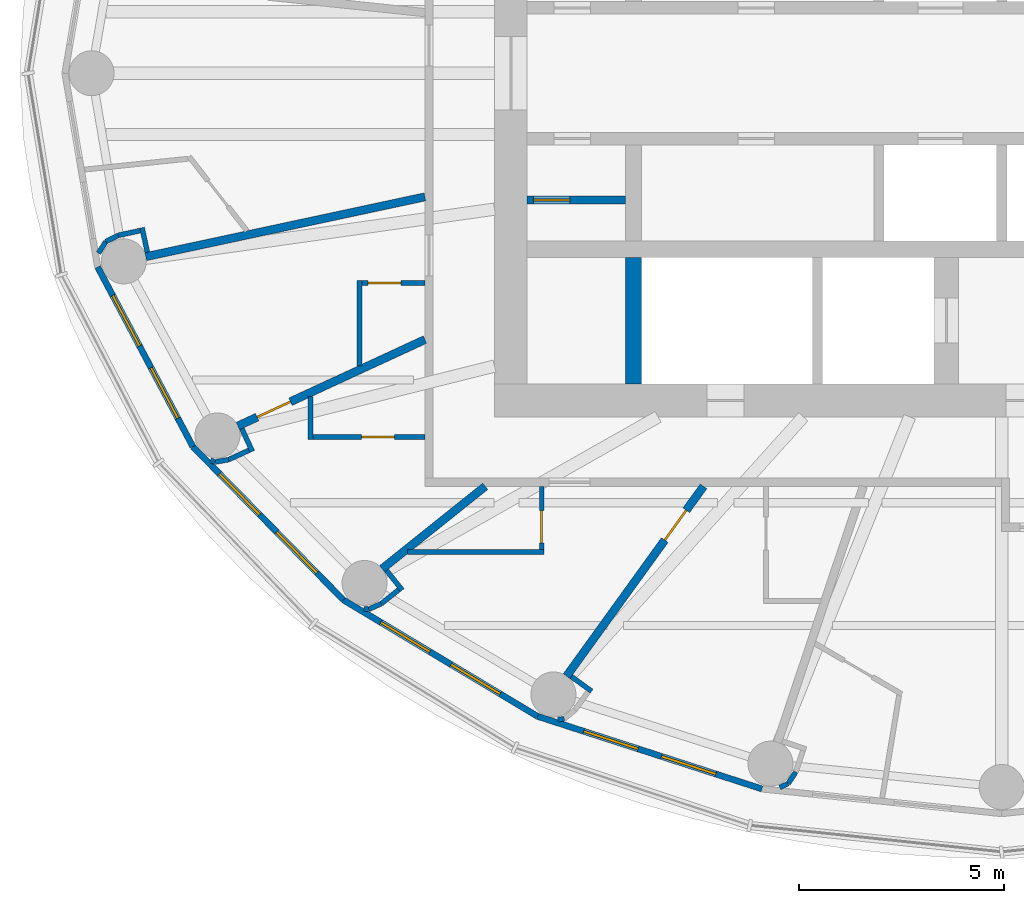
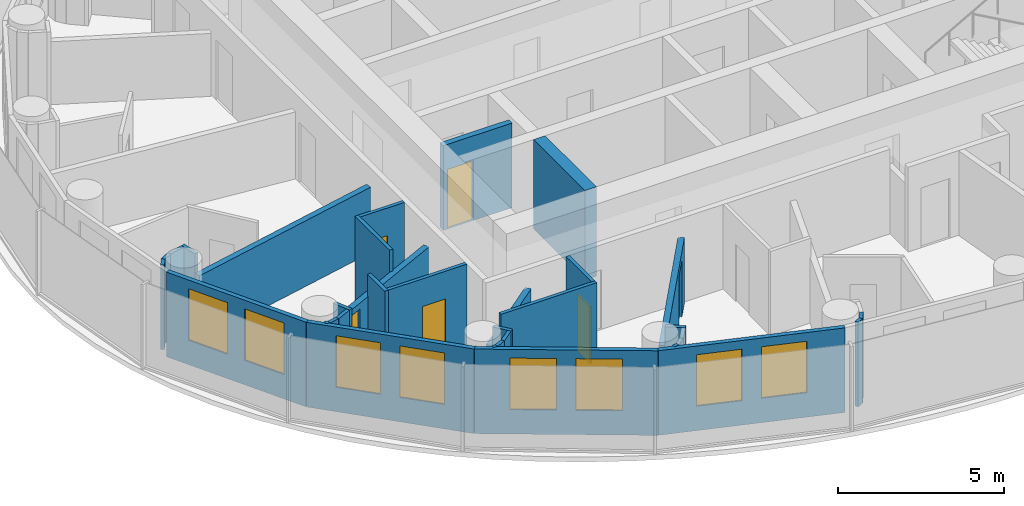
# One storey, part 6 of 14: 32 walls, 8 windows, 6 doors, 14 openings.
"""IFC4 building model written with IfcOpenShell, lengths in metres."""

from ifc_helpers import new_model, si_unit, direction, frame, frame_2d, origin, place, context, subcontext, project, spatial, rectangle, extrude, material, layer, layer_set, type_object, element, fill, save


model = new_model("IFC4")

# Units and contexts
model_context = context("Model", 3, precision=1e-05, world=origin(), true_north=direction((0.0, 1.0)))
body_context = subcontext(model_context, "Body", "Model", "MODEL_VIEW")
ifc_project = project(units=[si_unit("LENGTHUNIT", "METRE"), si_unit("AREAUNIT", "SQUARE_METRE"), si_unit("VOLUMEUNIT", "CUBIC_METRE"), si_unit("PLANEANGLEUNIT", "RADIAN"), si_unit("MASSUNIT", "GRAM", prefix="KILO")], contexts=[model_context])

# Site, building, storey
site_placement = place(None, origin())
site = spatial("IfcSite", under=ifc_project, at=site_placement, CompositionType="ELEMENT")
building_placement = place(site_placement, origin())
building = spatial("IfcBuilding", under=site, at=building_placement, Name="Hankou Lantern Tower", CompositionType="ELEMENT")
storey_placement = place(building_placement, frame((0.0, 0.0, 176.39990234375)))
storey = spatial("IfcBuildingStorey", under=building, at=storey_placement, Name="L47", CompositionType="ELEMENT", Elevation=176.39990234375)

# Wall
ifc_material_1 = material(Name="Concrete C60", Category="concrete")
ifc_layer_1 = layer(ifc_material_1, 0.39990234375)
ifc_layer_set_1 = layer_set([ifc_layer_1], Name="Concrete C60")
wall_type_1 = type_object("IfcWallType", Name="CW4 CORE CROSS WALL 400", PredefinedType="SHEAR", material=ifc_layer_set_1)
wall_1_placement = place(storey_placement, frame((-9.0, -7.60009765625, 0.0), z_axis=(0.0, 0.0, 1.0), x_axis=(0.0, 1.0, 0.0)))
element("IfcWall", 1, at=wall_1_placement, inside=storey, type_object=wall_type_1, Name="Core strip wall L47", PredefinedType="SHEAR", context=body_context, shape_type="SweptSolid", body=[
    extrude(rectangle(XDim=3.10009765625, YDim=0.39990234375, at=frame_2d((1.550048828125, 0.0))), origin(), (0.0, 0.0, 1.0), 3.300048828125),
])

# Wall, openings, windows
ifc_material_2 = material(Name="Aluminium spandrel panel on steel studs", Category="steel")
ifc_layer_2 = layer(ifc_material_2, 0.14990234375)
ifc_layer_set_2 = layer_set([ifc_layer_2], Name="Aluminium spandrel panel on steel studs")
wall_type_2 = type_object("IfcWallType", Name="EW1 INNER SKIN WALL 150", PredefinedType="ELEMENTEDWALL", material=ifc_layer_set_2)
wall_2_placement = place(storey_placement, frame((-22.1015625, -4.73779296875, 0.0), z_axis=(0.0, 0.0, 1.0), x_axis=(0.468428906714, -0.883501193748, 0.0)))
wall_2 = element("IfcWall", 2, at=wall_2_placement, inside=storey, type_object=wall_type_2, Name="Inner skin R14-R15 L47", PredefinedType="ELEMENTEDWALL", context=body_context, shape_type="SweptSolid", body=[
    extrude(rectangle(XDim=4.9736328125, YDim=0.14990234375, at=frame_2d((2.48681640625, 0.0))), origin(), (0.0, 0.0, 1.0), 3.1201171875),
])
opening_1_placement = place(wall_2_placement, frame((0.786865234375, 0.0, 0.89990234375)))
opening_1 = element("IfcOpeningElement", 3, at=opening_1_placement, cuts=wall_2, Name="Opening W3", PredefinedType="OPENING", context=body_context, shape_type="SweptSolid", body=[
    extrude(rectangle(XDim=1.39990234375, YDim=1.89990234375, at=frame_2d((0.699951171875, 0.949951171875))), frame((0.0, 0.0849609375, 0.0), z_axis=(0.0, -1.0, 0.0), x_axis=(1.0, 0.0, 0.0)), (0.0, 0.0, 1.0), 0.169921875),
])
opening_2_placement = place(wall_2_placement, frame((2.786865234375, 0.0, 0.89990234375)))
opening_2 = element("IfcOpeningElement", 4, at=opening_2_placement, cuts=wall_2, Name="Opening W3", PredefinedType="OPENING", context=body_context, shape_type="SweptSolid", body=[
    extrude(rectangle(XDim=1.39990234375, YDim=1.89990234375, at=frame_2d((0.699951171875, 0.949951171875))), frame((0.0, 0.0849609375, 0.0), z_axis=(0.0, -1.0, 0.0), x_axis=(1.0, 0.0, 0.0)), (0.0, 0.0, 1.0), 0.169921875),
])
ifc_material_3 = material(Name="Aluminium framed double glazed window", Category="aluminium")
window_type = type_object("IfcWindowType", Name="W3 GUEST ROOM WINDOW 1400X1900", PartitioningType="DOUBLE_PANEL_VERTICAL", PredefinedType="WINDOW", material=ifc_material_3)
window_1_placement = place(opening_1_placement, origin())
window_1 = element("IfcWindow", 5, at=window_1_placement, inside=storey, type_object=window_type, Name="Window R14.1 L47", OverallHeight=1.89990234375, OverallWidth=1.39990234375, PartitioningType="SINGLE_PANEL", PredefinedType="WINDOW", context=body_context, shape_type="SweptSolid", body=[
    extrude(rectangle(XDim=1.39990234375, YDim=1.89990234375, at=frame_2d((0.699951171875, 0.949951171875))), frame((0.0, 0.030029296875, 0.0), z_axis=(0.0, -1.0, 0.0), x_axis=(1.0, 0.0, 0.0)), (0.0, 0.0, 1.0), 0.06005859375),
])
fill(opening_1, window_1)
window_2_placement = place(opening_2_placement, origin())
window_2 = element("IfcWindow", 6, at=window_2_placement, inside=storey, type_object=window_type, Name="Window R14.2 L47", OverallHeight=1.89990234375, OverallWidth=1.39990234375, PartitioningType="SINGLE_PANEL", PredefinedType="WINDOW", context=body_context, shape_type="SweptSolid", body=[
    extrude(rectangle(XDim=1.39990234375, YDim=1.89990234375, at=frame_2d((0.699951171875, 0.949951171875))), frame((0.0, 0.030029296875, 0.0), z_axis=(0.0, -1.0, 0.0), x_axis=(1.0, 0.0, 0.0)), (0.0, 0.0, 1.0), 0.06005859375),
])
fill(opening_2, window_2)

wall_3_placement = place(storey_placement, frame((-19.771728515625, -9.132080078125, 0.0), z_axis=(0.0, 0.0, 1.0), x_axis=(0.700727467776, -0.71342905457, 0.0)))
wall_3 = element("IfcWall", 7, at=wall_3_placement, inside=storey, type_object=wall_type_2, Name="Inner skin R15-R16 L47", PredefinedType="ELEMENTEDWALL", context=body_context, shape_type="SweptSolid", body=[
    extrude(rectangle(XDim=5.247314453125, YDim=0.14990234375, at=frame_2d((2.62353515625, 0.0))), origin(), (0.0, 0.0, 1.0), 3.1201171875),
])
opening_3_placement = place(wall_3_placement, frame((0.923583984375, 0.0, 0.89990234375)))
opening_3 = element("IfcOpeningElement", 8, at=opening_3_placement, cuts=wall_3, Name="Opening W3", PredefinedType="OPENING", context=body_context, shape_type="SweptSolid", body=[
    extrude(rectangle(XDim=1.39990234375, YDim=1.89990234375, at=frame_2d((0.699951171875, 0.949951171875))), frame((0.0, 0.0849609375, 0.0), z_axis=(0.0, -1.0, 0.0), x_axis=(1.0, 0.0, 0.0)), (0.0, 0.0, 1.0), 0.169921875),
])
opening_4_placement = place(wall_3_placement, frame((2.923583984375, 0.0, 0.89990234375)))
opening_4 = element("IfcOpeningElement", 9, at=opening_4_placement, cuts=wall_3, Name="Opening W3", PredefinedType="OPENING", context=body_context, shape_type="SweptSolid", body=[
    extrude(rectangle(XDim=1.39990234375, YDim=1.89990234375, at=frame_2d((0.699951171875, 0.949951171875))), frame((0.0, 0.0849609375, 0.0), z_axis=(0.0, -1.0, 0.0), x_axis=(1.0, 0.0, 0.0)), (0.0, 0.0, 1.0), 0.169921875),
])
window_3_placement = place(opening_3_placement, origin())
window_3 = element("IfcWindow", 10, at=window_3_placement, inside=storey, type_object=window_type, Name="Window R15.1 L47", OverallHeight=1.89990234375, OverallWidth=1.39990234375, PartitioningType="SINGLE_PANEL", PredefinedType="WINDOW", context=body_context, shape_type="SweptSolid", body=[
    extrude(rectangle(XDim=1.39990234375, YDim=1.89990234375, at=frame_2d((0.699951171875, 0.949951171875))), frame((0.0, 0.030029296875, 0.0), z_axis=(0.0, -1.0, 0.0), x_axis=(1.0, 0.0, 0.0)), (0.0, 0.0, 1.0), 0.06005859375),
])
fill(opening_3, window_3)
window_4_placement = place(opening_4_placement, origin())
window_4 = element("IfcWindow", 11, at=window_4_placement, inside=storey, type_object=window_type, Name="Window R15.2 L47", OverallHeight=1.89990234375, OverallWidth=1.39990234375, PartitioningType="SINGLE_PANEL", PredefinedType="WINDOW", context=body_context, shape_type="SweptSolid", body=[
    extrude(rectangle(XDim=1.39990234375, YDim=1.89990234375, at=frame_2d((0.699951171875, 0.949951171875))), frame((0.0, 0.030029296875, 0.0), z_axis=(0.0, -1.0, 0.0), x_axis=(1.0, 0.0, 0.0)), (0.0, 0.0, 1.0), 0.06005859375),
])
fill(opening_4, window_4)

wall_4_placement = place(storey_placement, frame((-16.0947265625, -12.875732421875, 0.0), z_axis=(0.0, 0.0, 1.0), x_axis=(0.857695199231, -0.514158482587, 0.0)))
wall_4 = element("IfcWall", 12, at=wall_4_placement, inside=storey, type_object=wall_type_2, Name="Inner skin R16-R17 L47", PredefinedType="ELEMENTEDWALL", context=body_context, shape_type="SweptSolid", body=[
    extrude(rectangle(XDim=5.5361328125, YDim=0.14990234375, at=frame_2d((2.76806640625, 0.0))), origin(), (0.0, 0.0, 1.0), 3.1201171875),
])
opening_5_placement = place(wall_4_placement, frame((1.068115234375, 0.0, 0.89990234375)))
opening_5 = element("IfcOpeningElement", 13, at=opening_5_placement, cuts=wall_4, Name="Opening W3", PredefinedType="OPENING", context=body_context, shape_type="SweptSolid", body=[
    extrude(rectangle(XDim=1.39990234375, YDim=1.89990234375, at=frame_2d((0.699951171875, 0.949951171875))), frame((0.0, 0.0849609375, 0.0), z_axis=(0.0, -1.0, 0.0), x_axis=(1.0, 0.0, 0.0)), (0.0, 0.0, 1.0), 0.169921875),
])
opening_6_placement = place(wall_4_placement, frame((3.068115234375, 0.0, 0.89990234375)))
opening_6 = element("IfcOpeningElement", 14, at=opening_6_placement, cuts=wall_4, Name="Opening W3", PredefinedType="OPENING", context=body_context, shape_type="SweptSolid", body=[
    extrude(rectangle(XDim=1.39990234375, YDim=1.89990234375, at=frame_2d((0.699951171875, 0.949951171875))), frame((0.0, 0.0849609375, 0.0), z_axis=(0.0, -1.0, 0.0), x_axis=(1.0, 0.0, 0.0)), (0.0, 0.0, 1.0), 0.169921875),
])
window_5_placement = place(opening_5_placement, origin())
window_5 = element("IfcWindow", 15, at=window_5_placement, inside=storey, type_object=window_type, Name="Window R16.1 L47", OverallHeight=1.89990234375, OverallWidth=1.39990234375, PartitioningType="SINGLE_PANEL", PredefinedType="WINDOW", context=body_context, shape_type="SweptSolid", body=[
    extrude(rectangle(XDim=1.39990234375, YDim=1.89990234375, at=frame_2d((0.699951171875, 0.949951171875))), frame((0.0, 0.030029296875, 0.0), z_axis=(0.0, -1.0, 0.0), x_axis=(1.0, 0.0, 0.0)), (0.0, 0.0, 1.0), 0.06005859375),
])
fill(opening_5, window_5)
window_6_placement = place(opening_6_placement, origin())
window_6 = element("IfcWindow", 16, at=window_6_placement, inside=storey, type_object=window_type, Name="Window R16.2 L47", OverallHeight=1.89990234375, OverallWidth=1.39990234375, PartitioningType="SINGLE_PANEL", PredefinedType="WINDOW", context=body_context, shape_type="SweptSolid", body=[
    extrude(rectangle(XDim=1.39990234375, YDim=1.89990234375, at=frame_2d((0.699951171875, 0.949951171875))), frame((0.0, 0.030029296875, 0.0), z_axis=(0.0, -1.0, 0.0), x_axis=(1.0, 0.0, 0.0)), (0.0, 0.0, 1.0), 0.06005859375),
])
fill(opening_6, window_6)

wall_5_placement = place(storey_placement, frame((-11.346435546875, -15.72216796875, 0.0), z_axis=(0.0, 0.0, 1.0), x_axis=(0.951432482129, -0.307857486429, 0.0)))
wall_5 = element("IfcWall", 17, at=wall_5_placement, inside=storey, type_object=wall_type_2, Name="Inner skin R17-R18 L47", PredefinedType="ELEMENTEDWALL", context=body_context, shape_type="SweptSolid", body=[
    extrude(rectangle(XDim=5.76611328125, YDim=0.14990234375, at=frame_2d((2.883056640625, 0.0))), origin(), (0.0, 0.0, 1.0), 3.1201171875),
])
opening_7_placement = place(wall_5_placement, frame((1.18310546875, 0.0, 0.89990234375)))
opening_7 = element("IfcOpeningElement", 18, at=opening_7_placement, cuts=wall_5, Name="Opening W3", PredefinedType="OPENING", context=body_context, shape_type="SweptSolid", body=[
    extrude(rectangle(XDim=1.39990234375, YDim=1.89990234375, at=frame_2d((0.699951171875, 0.949951171875))), frame((0.0, 0.0849609375, 0.0), z_axis=(0.0, -1.0, 0.0), x_axis=(1.0, 0.0, 0.0)), (0.0, 0.0, 1.0), 0.169921875),
])
opening_8_placement = place(wall_5_placement, frame((3.18310546875, 0.0, 0.89990234375)))
opening_8 = element("IfcOpeningElement", 19, at=opening_8_placement, cuts=wall_5, Name="Opening W3", PredefinedType="OPENING", context=body_context, shape_type="SweptSolid", body=[
    extrude(rectangle(XDim=1.39990234375, YDim=1.89990234375, at=frame_2d((0.699951171875, 0.949951171875))), frame((0.0, 0.0849609375, 0.0), z_axis=(0.0, -1.0, 0.0), x_axis=(1.0, 0.0, 0.0)), (0.0, 0.0, 1.0), 0.169921875),
])
window_7_placement = place(opening_7_placement, origin())
window_7 = element("IfcWindow", 20, at=window_7_placement, inside=storey, type_object=window_type, Name="Window R17.1 L47", OverallHeight=1.89990234375, OverallWidth=1.39990234375, PartitioningType="SINGLE_PANEL", PredefinedType="WINDOW", context=body_context, shape_type="SweptSolid", body=[
    extrude(rectangle(XDim=1.39990234375, YDim=1.89990234375, at=frame_2d((0.699951171875, 0.949951171875))), frame((0.0, 0.030029296875, 0.0), z_axis=(0.0, -1.0, 0.0), x_axis=(1.0, 0.0, 0.0)), (0.0, 0.0, 1.0), 0.06005859375),
])
fill(opening_7, window_7)
window_8_placement = place(opening_8_placement, origin())
window_8 = element("IfcWindow", 21, at=window_8_placement, inside=storey, type_object=window_type, Name="Window R17.2 L47", OverallHeight=1.89990234375, OverallWidth=1.39990234375, PartitioningType="SINGLE_PANEL", PredefinedType="WINDOW", context=body_context, shape_type="SweptSolid", body=[
    extrude(rectangle(XDim=1.39990234375, YDim=1.89990234375, at=frame_2d((0.699951171875, 0.949951171875))), frame((0.0, 0.030029296875, 0.0), z_axis=(0.0, -1.0, 0.0), x_axis=(1.0, 0.0, 0.0)), (0.0, 0.0, 1.0), 0.06005859375),
])
fill(opening_8, window_8)

# Walls
ifc_material_4 = material(Name="Masonry lightweight concrete block", Category="masonry")
ifc_layer_3 = layer(ifc_material_4, 0.199951171875)
ifc_layer_set_3 = layer_set([ifc_layer_3], Name="Masonry lightweight concrete block")
wall_type_3 = type_object("IfcWallType", Name="IW1 GUEST ROOM PARTY WALL 200", PredefinedType="PARTITIONING", material=ifc_layer_set_3)
wall_6_placement = place(storey_placement, frame((-14.10009765625, -3.0224609375, 0.0), z_axis=(0.0, 0.0, 1.0), x_axis=(-0.977790639684, -0.209584028367, 0.0)))
element("IfcWall", 22, at=wall_6_placement, inside=storey, type_object=wall_type_3, Name="Party wall R14", PredefinedType="PARTITIONING", context=body_context, shape_type="SweptSolid", body=[
    extrude(rectangle(XDim=6.97998046875, YDim=0.199951171875, at=frame_2d((3.489990234375, 0.0))), origin(), (0.0, 0.0, 1.0), 2.420166015625),
])
wall_7_placement = place(storey_placement, frame((-12.625, -10.10009765625, 0.0), z_axis=(0.0, 0.0, 1.0), x_axis=(-0.780876185034, -0.624685827954, 0.0)))
element("IfcWall", 23, at=wall_7_placement, inside=storey, type_object=wall_type_3, Name="Party wall R16", PredefinedType="PARTITIONING", context=body_context, shape_type="SweptSolid", body=[
    extrude(rectangle(XDim=3.229248046875, YDim=0.199951171875, at=frame_2d((1.61474609375, 0.0))), origin(), (0.0, 0.0, 1.0), 2.420166015625),
])
ifc_material_5 = material(Name="Masonry lightweight concrete block", Category="masonry")
ifc_layer_4 = layer(ifc_material_5, 0.1201171875)
ifc_layer_set_4 = layer_set([ifc_layer_4], Name="Masonry lightweight concrete block")
wall_type_4 = type_object("IfcWallType", Name="IW3 BATHROOM WALL 120", PredefinedType="PARTITIONING", material=ifc_layer_set_4)
wall_8_placement = place(storey_placement, frame((-15.699951171875, -7.151611328125, 0.0), z_axis=(0.0, 0.0, 1.0), x_axis=(0.0, 1.0, 0.0)))
element("IfcWall", 24, at=wall_8_placement, inside=storey, type_object=wall_type_4, Name="Box wall 4701C 1", PredefinedType="PARTITIONING", context=body_context, shape_type="SweptSolid", body=[
    extrude(rectangle(XDim=2.0791015625, YDim=0.1201171875, at=frame_2d((1.03955078125, 0.0))), origin(), (0.0, 0.0, 1.0), 3.1201171875),
])

# Wall, opening, door
wall_9_placement = place(storey_placement, frame((-14.10009765625, -5.132568359375, 0.0), z_axis=(0.0, 0.0, 1.0), x_axis=(-1.0, 0.0, 0.0)))
wall_9 = element("IfcWall", 25, at=wall_9_placement, inside=storey, type_object=wall_type_4, Name="Box wall 4701C 1", PredefinedType="PARTITIONING", context=body_context, shape_type="SweptSolid", body=[
    extrude(rectangle(XDim=1.539794921875, YDim=0.1201171875, at=frame_2d((0.77001953125, 0.0))), origin(), (0.0, 0.0, 1.0), 3.1201171875),
])
opening_9_placement = place(wall_9_placement, frame((0.590087890625, 0.0, 0.0)))
opening_9 = element("IfcOpeningElement", 26, at=opening_9_placement, cuts=wall_9, Name="Opening D3", PredefinedType="OPENING", context=body_context, shape_type="SweptSolid", body=[
    extrude(rectangle(XDim=0.800048828125, YDim=2.10009765625, at=frame_2d((0.39990234375, 1.050048828125))), frame((0.0, 0.070068359375, 0.0), z_axis=(0.0, -1.0, 0.0), x_axis=(1.0, 0.0, 0.0)), (0.0, 0.0, 1.0), 0.14013671875),
])
ifc_material_6 = material(Name="Timber door leaf", Category="wood")
door_type_1 = type_object("IfcDoorType", Name="D3 BATHROOM DOOR 800X2100", OperationType="SINGLE_SWING_LEFT", PredefinedType="DOOR", material=ifc_material_6)
door_1_placement = place(opening_9_placement, origin())
door_1 = element("IfcDoor", 27, at=door_1_placement, inside=storey, type_object=door_type_1, Name="Suite 4701 guest WC door", OperationType="SINGLE_SWING_RIGHT", OverallHeight=2.10009765625, OverallWidth=0.800048828125, PredefinedType="DOOR", context=body_context, shape_type="SweptSolid", body=[
    extrude(rectangle(XDim=0.800048828125, YDim=2.10009765625, at=frame_2d((0.39990234375, 1.050048828125))), frame((0.0, 0.02490234375, 0.0), z_axis=(0.0, -1.0, 0.0), x_axis=(1.0, 0.0, 0.0)), (0.0, 0.0, 1.0), 0.050048828125),
])
fill(opening_9, door_1)

# Wall
wall_10_placement = place(storey_placement, frame((-16.89990234375, -7.90576171875, 0.0), z_axis=(0.0, 0.0, 1.0), x_axis=(0.0, -1.0, 0.0)))
element("IfcWall", 28, at=wall_10_placement, inside=storey, type_object=wall_type_4, Name="Box wall 4701A 1", PredefinedType="PARTITIONING", context=body_context, shape_type="SweptSolid", body=[
    extrude(rectangle(XDim=1.046630859375, YDim=0.1201171875, at=frame_2d((0.5234375, 0.0))), origin(), (0.0, 0.0, 1.0), 3.1201171875),
])

# Wall, opening, door
wall_11_placement = place(storey_placement, frame((-14.10009765625, -8.892578125, 0.0), z_axis=(0.0, 0.0, 1.0), x_axis=(-1.0, 0.0, 0.0)))
wall_11 = element("IfcWall", 29, at=wall_11_placement, inside=storey, type_object=wall_type_4, Name="Box wall 4701A 1", PredefinedType="PARTITIONING", context=body_context, shape_type="SweptSolid", body=[
    extrude(rectangle(XDim=2.739990234375, YDim=0.1201171875, at=frame_2d((1.3701171875, 0.0))), origin(), (0.0, 0.0, 1.0), 3.1201171875),
])
opening_10_placement = place(wall_11_placement, frame((0.75, 0.0, 0.0)))
opening_10 = element("IfcOpeningElement", 30, at=opening_10_placement, cuts=wall_11, Name="Opening D3", PredefinedType="OPENING", context=body_context, shape_type="SweptSolid", body=[
    extrude(rectangle(XDim=0.800048828125, YDim=2.10009765625, at=frame_2d((0.39990234375, 1.050048828125))), frame((0.0, 0.070068359375, 0.0), z_axis=(0.0, -1.0, 0.0), x_axis=(1.0, 0.0, 0.0)), (0.0, 0.0, 1.0), 0.14013671875),
])
door_2_placement = place(opening_10_placement, origin())
door_2 = element("IfcDoor", 31, at=door_2_placement, inside=storey, type_object=door_type_1, Name="Suite 4701 bathroom door", OperationType="SINGLE_SWING_LEFT", OverallHeight=2.10009765625, OverallWidth=0.800048828125, PredefinedType="DOOR", context=body_context, shape_type="SweptSolid", body=[
    extrude(rectangle(XDim=0.800048828125, YDim=2.10009765625, at=frame_2d((0.39990234375, 1.050048828125))), frame((0.0, 0.02490234375, 0.0), z_axis=(0.0, -1.0, 0.0), x_axis=(1.0, 0.0, 0.0)), (0.0, 0.0, 1.0), 0.050048828125),
])
fill(opening_10, door_2)

# Wall
wall_12_placement = place(storey_placement, frame((-14.52490234375, -11.699951171875, 0.0), z_axis=(0.0, 0.0, 1.0), x_axis=(1.0, 0.0, 0.0)))
element("IfcWall", 32, at=wall_12_placement, inside=storey, type_object=wall_type_4, Name="Box wall 4702C 1", PredefinedType="PARTITIONING", context=body_context, shape_type="SweptSolid", body=[
    extrude(rectangle(XDim=3.33984375, YDim=0.1201171875, at=frame_2d((1.669921875, 0.0))), origin(), (0.0, 0.0, 1.0), 3.1201171875),
])

# Wall, opening, door
wall_13_placement = place(storey_placement, frame((-11.2451171875, -10.10009765625, 0.0), z_axis=(0.0, 0.0, 1.0), x_axis=(0.0, -1.0, 0.0)))
wall_13 = element("IfcWall", 33, at=wall_13_placement, inside=storey, type_object=wall_type_4, Name="Box wall 4702C 1", PredefinedType="PARTITIONING", context=body_context, shape_type="SweptSolid", body=[
    extrude(rectangle(XDim=1.539794921875, YDim=0.1201171875, at=frame_2d((0.77001953125, 0.0))), origin(), (0.0, 0.0, 1.0), 3.1201171875),
])
opening_11_placement = place(wall_13_placement, frame((0.590087890625, 0.0, 0.0)))
opening_11 = element("IfcOpeningElement", 34, at=opening_11_placement, cuts=wall_13, Name="Opening D3", PredefinedType="OPENING", context=body_context, shape_type="SweptSolid", body=[
    extrude(rectangle(XDim=0.800048828125, YDim=2.10009765625, at=frame_2d((0.39990234375, 1.050048828125))), frame((0.0, 0.070068359375, 0.0), z_axis=(0.0, -1.0, 0.0), x_axis=(1.0, 0.0, 0.0)), (0.0, 0.0, 1.0), 0.14013671875),
])
door_3_placement = place(opening_11_placement, origin())
door_3 = element("IfcDoor", 35, at=door_3_placement, inside=storey, type_object=door_type_1, Name="Suite 4702 guest WC door", OperationType="SINGLE_SWING_LEFT", OverallHeight=2.10009765625, OverallWidth=0.800048828125, PredefinedType="DOOR", context=body_context, shape_type="SweptSolid", body=[
    extrude(rectangle(XDim=0.800048828125, YDim=2.10009765625, at=frame_2d((0.39990234375, 1.050048828125))), frame((0.0, 0.02490234375, 0.0), z_axis=(0.0, -1.0, 0.0), x_axis=(1.0, 0.0, 0.0)), (0.0, 0.0, 1.0), 0.050048828125),
])
fill(opening_11, door_3)

# Walls
wall_14_placement = place(storey_placement, frame((-5.034423828125, -17.08447265625, 0.0), z_axis=(0.0, 0.0, 1.0), x_axis=(-0.552362205726, -0.833604218851, 0.0)))
element("IfcWall", 36, at=wall_14_placement, inside=storey, type_object=wall_type_4, Name="Column casing 4703", PredefinedType="PARTITIONING", context=body_context, shape_type="SweptSolid", body=[
    extrude(rectangle(XDim=0.337646484375, YDim=0.1201171875, at=frame_2d((0.1689453125, 0.0))), origin(), (0.0, 0.0, 1.0), 3.1201171875),
])
wall_15_placement = place(storey_placement, frame((-5.220947265625, -17.365966796875, 0.0), z_axis=(0.0, 0.0, 1.0), x_axis=(-0.895067896179, -0.445929883759, 0.0)))
element("IfcWall", 37, at=wall_15_placement, inside=storey, type_object=wall_type_4, Name="Column casing 4703", PredefinedType="PARTITIONING", context=body_context, shape_type="SweptSolid", body=[
    extrude(rectangle(XDim=0.228271484375, YDim=0.1201171875, at=frame_2d((0.1142578125, 0.0))), origin(), (0.0, 0.0, 1.0), 3.1201171875),
])
wall_16_placement = place(storey_placement, frame((-20.88720703125, -4.375, 0.0), z_axis=(0.0, 0.0, 1.0), x_axis=(-0.209746941802, 0.977755705892, 0.0)))
element("IfcWall", 38, at=wall_16_placement, inside=storey, type_object=wall_type_4, Name="Column casing 4714 return", PredefinedType="PARTITIONING", context=body_context, shape_type="SweptSolid", body=[
    extrude(rectangle(XDim=0.6123046875, YDim=0.1201171875, at=frame_2d((0.30615234375, 0.0))), origin(), (0.0, 0.0, 1.0), 3.1201171875),
])
wall_17_placement = place(storey_placement, frame((-21.061767578125, -3.84765625, 0.0), z_axis=(0.0, 0.0, 1.0), x_axis=(-0.977789415726, -0.209589738521, 0.0)))
element("IfcWall", 39, at=wall_17_placement, inside=storey, type_object=wall_type_4, Name="Column casing 4714", PredefinedType="PARTITIONING", context=body_context, shape_type="SweptSolid", body=[
    extrude(rectangle(XDim=0.5498046875, YDim=0.1201171875, at=frame_2d((0.27490234375, 0.0))), origin(), (0.0, 0.0, 1.0), 3.1201171875),
])
wall_18_placement = place(storey_placement, frame((-21.599365234375, -3.962890625, 0.0), z_axis=(0.0, 0.0, 1.0), x_axis=(-0.890193602875, -0.455582428766, 0.0)))
element("IfcWall", 40, at=wall_18_placement, inside=storey, type_object=wall_type_4, Name="Column casing 4714", PredefinedType="PARTITIONING", context=body_context, shape_type="SweptSolid", body=[
    extrude(rectangle(XDim=0.337646484375, YDim=0.1201171875, at=frame_2d((0.1689453125, 0.0))), origin(), (0.0, 0.0, 1.0), 3.1201171875),
])
wall_19_placement = place(storey_placement, frame((-21.89990234375, -4.11669921875, 0.0), z_axis=(0.0, 0.0, 1.0), x_axis=(-0.543582688681, -0.839355622228, 0.0)))
element("IfcWall", 41, at=wall_19_placement, inside=storey, type_object=wall_type_4, Name="Column casing 4714", PredefinedType="PARTITIONING", context=body_context, shape_type="SweptSolid", body=[
    extrude(rectangle(XDim=0.3359375, YDim=0.1201171875, at=frame_2d((0.16796875, 0.0))), origin(), (0.0, 0.0, 1.0), 3.1201171875),
])
ifc_material_7 = material(Name="Masonry lightweight concrete block", Category="masonry")
ifc_layer_5 = layer(ifc_material_7, 0.1201171875)
ifc_layer_set_5 = layer_set([ifc_layer_5], Name="Masonry lightweight concrete block")
wall_type_5 = type_object("IfcWallType", Name="IW4 PARTITION 120", PredefinedType="PARTITIONING", material=ifc_layer_set_5)
wall_20_placement = place(storey_placement, frame((-18.576416015625, -8.690185546875, 0.0), z_axis=(0.0, 0.0, 1.0), x_axis=(0.419083463716, -0.907947713494, 0.0)))
element("IfcWall", 42, at=wall_20_placement, inside=storey, type_object=wall_type_5, Name="Column casing R15 return", PredefinedType="PARTITIONING", context=body_context, shape_type="SweptSolid", body=[
    extrude(rectangle(XDim=0.6123046875, YDim=0.1201171875, at=frame_2d((0.30615234375, 0.0))), origin(), (0.0, 0.0, 1.0), 3.1201171875),
])
wall_21_placement = place(storey_placement, frame((-18.3994140625, -9.216796875, 0.0), z_axis=(0.0, 0.0, 1.0), x_axis=(-0.907933393845, -0.419114485961, 0.0)))
element("IfcWall", 43, at=wall_21_placement, inside=storey, type_object=wall_type_5, Name="Column casing R15", PredefinedType="PARTITIONING", context=body_context, shape_type="SweptSolid", body=[
    extrude(rectangle(XDim=0.5498046875, YDim=0.1201171875, at=frame_2d((0.27490234375, 0.0))), origin(), (0.0, 0.0, 1.0), 3.1201171875),
])
wall_22_placement = place(storey_placement, frame((-18.898681640625, -9.447265625, 0.0), z_axis=(0.0, 0.0, 1.0), x_axis=(-0.985338822624, -0.170608923066, 0.0)))
element("IfcWall", 44, at=wall_22_placement, inside=storey, type_object=wall_type_5, Name="Column casing R15", PredefinedType="PARTITIONING", context=body_context, shape_type="SweptSolid", body=[
    extrude(rectangle(XDim=0.337646484375, YDim=0.1201171875, at=frame_2d((0.1689453125, 0.0))), origin(), (0.0, 0.0, 1.0), 3.1201171875),
])
wall_23_placement = place(storey_placement, frame((-19.2314453125, -9.5048828125, 0.0), z_axis=(0.0, 0.0, 1.0), x_axis=(-0.938377418573, 0.345612239817, 0.0)))
element("IfcWall", 45, at=wall_23_placement, inside=storey, type_object=wall_type_5, Name="Column casing R15", PredefinedType="PARTITIONING", context=body_context, shape_type="SweptSolid", body=[
    extrude(rectangle(XDim=0.12158203125, YDim=0.1201171875, at=frame_2d((0.060791015625, 0.0))), origin(), (0.0, 0.0, 1.0), 3.1201171875),
])
wall_24_placement = place(storey_placement, frame((-15.037353515625, -12.157958984375, 0.0), z_axis=(0.0, 0.0, 1.0), x_axis=(0.624840920722, -0.78075208856, 0.0)))
element("IfcWall", 46, at=wall_24_placement, inside=storey, type_object=wall_type_5, Name="Column casing R16 return", PredefinedType="PARTITIONING", context=body_context, shape_type="SweptSolid", body=[
    extrude(rectangle(XDim=0.6123046875, YDim=0.1201171875, at=frame_2d((0.30615234375, 0.0))), origin(), (0.0, 0.0, 1.0), 3.1201171875),
])
wall_25_placement = place(storey_placement, frame((-14.7392578125, -12.626708984375, 0.0), z_axis=(0.0, 0.0, 1.0), x_axis=(-0.780912119987, -0.624640905527, 0.0)))
element("IfcWall", 47, at=wall_25_placement, inside=storey, type_object=wall_type_5, Name="Column casing R16", PredefinedType="PARTITIONING", context=body_context, shape_type="SweptSolid", body=[
    extrude(rectangle(XDim=0.5498046875, YDim=0.1201171875, at=frame_2d((0.27490234375, 0.0))), origin(), (0.0, 0.0, 1.0), 3.1201171875),
])
wall_26_placement = place(storey_placement, frame((-15.168701171875, -12.97021484375, 0.0), z_axis=(0.0, 0.0, 1.0), x_axis=(-0.915974725257, -0.401235968838, 0.0)))
element("IfcWall", 48, at=wall_26_placement, inside=storey, type_object=wall_type_5, Name="Column casing R16", PredefinedType="PARTITIONING", context=body_context, shape_type="SweptSolid", body=[
    extrude(rectangle(XDim=0.337646484375, YDim=0.1201171875, at=frame_2d((0.1689453125, 0.0))), origin(), (0.0, 0.0, 1.0), 3.1201171875),
])
wall_27_placement = place(storey_placement, frame((-15.47802734375, -13.105712890625, 0.0), z_axis=(0.0, 0.0, 1.0), x_axis=(-0.993778813557, 0.111371763588, 0.0)))
element("IfcWall", 49, at=wall_27_placement, inside=storey, type_object=wall_type_5, Name="Column casing R16", PredefinedType="PARTITIONING", context=body_context, shape_type="SweptSolid", body=[
    extrude(rectangle(XDim=0.114013671875, YDim=0.1201171875, at=frame_2d((0.05712890625, 0.0))), origin(), (0.0, 0.0, 1.0), 3.1201171875),
])
wall_28_placement = place(storey_placement, frame((-10.521728515625, -14.750244140625, 0.0), z_axis=(0.0, 0.0, 1.0), x_axis=(0.811057588427, -0.584966313777, 0.0)))
element("IfcWall", 50, at=wall_28_placement, inside=storey, type_object=wall_type_5, Name="Column casing R17 return", PredefinedType="PARTITIONING", context=body_context, shape_type="SweptSolid", body=[
    extrude(rectangle(XDim=0.6123046875, YDim=0.1201171875, at=frame_2d((0.30615234375, 0.0))), origin(), (0.0, 0.0, 1.0), 3.1201171875),
])
wall_29_placement = place(storey_placement, frame((-10.692626953125, -15.78125, 0.0), z_axis=(0.0, 0.0, 1.0), x_axis=(-0.987256785332, -0.159135287777, 0.0)))
element("IfcWall", 51, at=wall_29_placement, inside=storey, type_object=wall_type_5, Name="Column casing R17", PredefinedType="PARTITIONING", context=body_context, shape_type="SweptSolid", body=[
    extrude(rectangle(XDim=0.157958984375, YDim=0.1201171875, at=frame_2d((0.0791015625, 0.0))), origin(), (0.0, 0.0, 1.0), 3.1201171875),
])

# Wall, opening, door
ifc_material_8 = material(Name="Masonry lightweight concrete block", Category="masonry")
ifc_layer_6 = layer(ifc_material_8, 0.199951171875)
ifc_layer_set_6 = layer_set([ifc_layer_6], Name="Masonry lightweight concrete block")
wall_type_6 = type_object("IfcWallType", Name="IW6 SUITE PARTITION 200", PredefinedType="PARTITIONING", material=ifc_layer_set_6)
wall_30_placement = place(storey_placement, frame((-14.10009765625, -6.512451171875, 0.0), z_axis=(0.0, 0.0, 1.0), x_axis=(-0.907823150669, -0.419353224751, 0.0)))
wall_30 = element("IfcWall", 52, at=wall_30_placement, inside=storey, type_object=wall_type_6, Name="Suite partition R15", PredefinedType="PARTITIONING", context=body_context, shape_type="SweptSolid", body=[
    extrude(rectangle(XDim=5.037109375, YDim=0.199951171875, at=frame_2d((2.5185546875, 0.0))), origin(), (0.0, 0.0, 1.0), 2.320068359375),
])
opening_12_placement = place(wall_30_placement, frame((3.6201171875, 0.0, 0.0)))
opening_12 = element("IfcOpeningElement", 53, at=opening_12_placement, cuts=wall_30, Name="Opening D27", PredefinedType="OPENING", context=body_context, shape_type="SweptSolid", body=[
    extrude(rectangle(XDim=0.89990234375, YDim=2.10009765625, at=frame_2d((0.449951171875, 1.050048828125))), frame((0.0, 0.10986328125, 0.0), z_axis=(0.0, -1.0, 0.0), x_axis=(1.0, 0.0, 0.0)), (0.0, 0.0, 1.0), 0.219970703125),
])
ifc_material_9 = material(Name="Timber door leaf", Category="wood")
door_type_2 = type_object("IfcDoorType", Name="D27 INTERNAL DOOR 900X2100", OperationType="SINGLE_SWING_LEFT", PredefinedType="DOOR", material=ifc_material_9)
door_4_placement = place(opening_12_placement, origin())
door_4 = element("IfcDoor", 54, at=door_4_placement, inside=storey, type_object=door_type_2, Name="Suite 4701 bedroom door", OperationType="SINGLE_SWING_LEFT", OverallHeight=2.10009765625, OverallWidth=0.89990234375, PredefinedType="DOOR", context=body_context, shape_type="SweptSolid", body=[
    extrude(rectangle(XDim=0.89990234375, YDim=2.10009765625, at=frame_2d((0.449951171875, 1.050048828125))), frame((0.0, 0.02490234375, 0.0), z_axis=(0.0, -1.0, 0.0), x_axis=(1.0, 0.0, 0.0)), (0.0, 0.0, 1.0), 0.050048828125),
])
fill(opening_12, door_4)

wall_31_placement = place(storey_placement, frame((-7.2890625, -10.10009765625, 0.0), z_axis=(0.0, 0.0, 1.0), x_axis=(-0.585222595178, -0.810872686735, 0.0)))
wall_31 = element("IfcWall", 55, at=wall_31_placement, inside=storey, type_object=wall_type_6, Name="Suite partition R17", PredefinedType="PARTITIONING", context=body_context, shape_type="SweptSolid", body=[
    extrude(rectangle(XDim=5.722412109375, YDim=0.199951171875, at=frame_2d((2.861328125, 0.0))), origin(), (0.0, 0.0, 1.0), 2.420166015625),
])
opening_13_placement = place(wall_31_placement, frame((0.719970703125, 0.0, 0.0)))
opening_13 = element("IfcOpeningElement", 56, at=opening_13_placement, cuts=wall_31, Name="Opening D27", PredefinedType="OPENING", context=body_context, shape_type="SweptSolid", body=[
    extrude(rectangle(XDim=0.89990234375, YDim=2.10009765625, at=frame_2d((0.449951171875, 1.050048828125))), frame((0.0, 0.10986328125, 0.0), z_axis=(0.0, -1.0, 0.0), x_axis=(1.0, 0.0, 0.0)), (0.0, 0.0, 1.0), 0.219970703125),
])
door_5_placement = place(opening_13_placement, origin())
door_5 = element("IfcDoor", 57, at=door_5_placement, inside=storey, type_object=door_type_2, Name="Suite 4702 bedroom door", OperationType="SINGLE_SWING_LEFT", OverallHeight=2.10009765625, OverallWidth=0.89990234375, PredefinedType="DOOR", context=body_context, shape_type="SweptSolid", body=[
    extrude(rectangle(XDim=0.89990234375, YDim=2.10009765625, at=frame_2d((0.449951171875, 1.050048828125))), frame((0.0, 0.02490234375, 0.0), z_axis=(0.0, -1.0, 0.0), x_axis=(1.0, 0.0, 0.0)), (0.0, 0.0, 1.0), 0.050048828125),
])
fill(opening_13, door_5)

ifc_material_10 = material(Name="Masonry lightweight concrete block", Category="masonry")
ifc_layer_7 = layer(ifc_material_10, 0.199951171875)
ifc_layer_set_7 = layer_set([ifc_layer_7], Name="Masonry lightweight concrete block")
wall_type_7 = type_object("IfcWallType", Name="IW8 PARTITION 200", PredefinedType="PARTITIONING", material=ifc_layer_set_7)
wall_32_placement = place(storey_placement, frame((-11.60009765625, -3.10009765625, 0.0), z_axis=(0.0, 0.0, 1.0), x_axis=(1.0, 0.0, 0.0)))
wall_32 = element("IfcWall", 58, at=wall_32_placement, inside=storey, type_object=wall_type_7, Name="Partition engineering store", PredefinedType="PARTITIONING", context=body_context, shape_type="SweptSolid", body=[
    extrude(rectangle(XDim=2.400146484375, YDim=0.199951171875, at=frame_2d((1.2001953125, 0.0))), origin(), (0.0, 0.0, 1.0), 3.1201171875),
])
opening_14_placement = place(wall_32_placement, frame((0.14990234375, 0.0, 0.0)))
opening_14 = element("IfcOpeningElement", 59, at=opening_14_placement, cuts=wall_32, Name="Opening D12", PredefinedType="OPENING", context=body_context, shape_type="SweptSolid", body=[
    extrude(rectangle(XDim=0.89990234375, YDim=2.199951171875, at=frame_2d((0.449951171875, 1.10009765625))), frame((0.0, 0.10986328125, 0.0), z_axis=(0.0, -1.0, 0.0), x_axis=(1.0, 0.0, 0.0)), (0.0, 0.0, 1.0), 0.219970703125),
])
ifc_material_11 = material(Name="Steel door leaf", Category="steel")
door_type_3 = type_object("IfcDoorType", Name="D12 STORE DOOR 900X2200", OperationType="SINGLE_SWING_LEFT", PredefinedType="DOOR", material=ifc_material_11)
door_6_placement = place(opening_14_placement, origin())
door_6 = element("IfcDoor", 60, at=door_6_placement, inside=storey, type_object=door_type_3, Name="Electrical cupboard door", OperationType="SINGLE_SWING_LEFT", OverallHeight=2.199951171875, OverallWidth=0.89990234375, PredefinedType="DOOR", context=body_context, shape_type="SweptSolid", body=[
    extrude(rectangle(XDim=0.89990234375, YDim=2.199951171875, at=frame_2d((0.449951171875, 1.10009765625))), frame((0.0, 0.02490234375, 0.0), z_axis=(0.0, -1.0, 0.0), x_axis=(1.0, 0.0, 0.0)), (0.0, 0.0, 1.0), 0.050048828125),
])
fill(opening_14, door_6)

save(model, "model.ifc")
